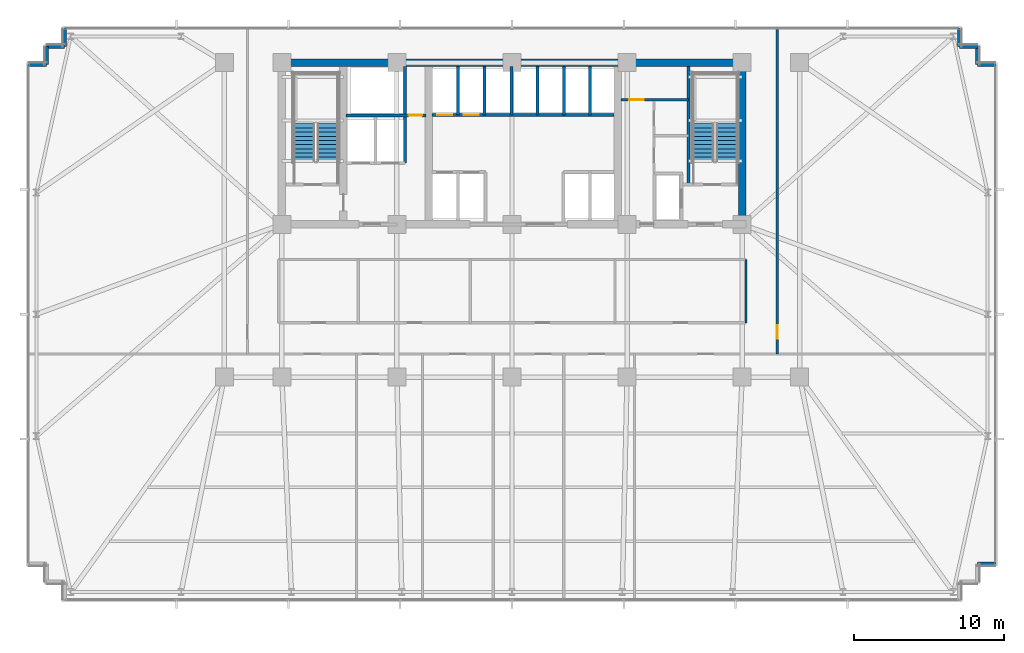
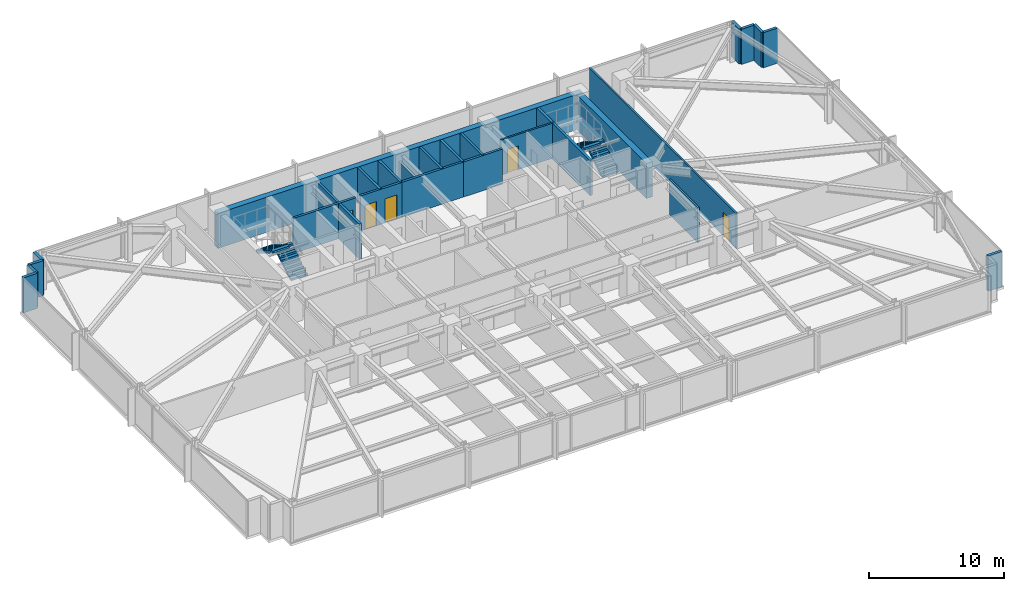
# One storey, part 26 of 32: 26 walls, 5 doors, 4 stair flights, 5 openings, 2 elements without a shape of their own.
"""IFC4 building model written with IfcOpenShell, lengths in metres."""

import ifcopenshell
import ifcopenshell.guid

model = None  # the IFC model being written
_history = None  # IfcOwnerHistory: only IFC2X3 demands one
_inside = {}  # id of a spatial element -> (the spatial element, [elements in it])
_under = {}  # id of a project, library or spatial element -> (it, [spatial elements below it])
_declared = {}  # id of a project -> (the project, [libraries it declares])
_typed = {}  # id of a type object -> (the type object, [elements of that type])
_made_of = {}  # id of a material, layer set ... -> (it, [elements and type objects made of it])


def new_model(schema):
    """Start an empty IFC model of exactly this schema.

    Asked for "IFC4X3", IfcOpenShell would pick the latest addendum, in which some entities
    have other attributes; the version numbers below select the first issue.
    IFC2X3 requires an IfcOwnerHistory on every rooted entity: one is made here for all.
    """
    global model, _history
    if schema == "IFC4X3":
        model = ifcopenshell.file(schema_version=(4, 3, 0, 0))
    else:
        model = ifcopenshell.file(schema=schema)
    _inside.clear()
    _under.clear()
    _declared.clear()
    _typed.clear()
    _made_of.clear()
    _history = None
    if model.schema == "IFC2X3":
        org = make("IfcOrganization", Name="unknown")
        user = make(
            "IfcPersonAndOrganization",
            ThePerson=make("IfcPerson", FamilyName="unknown"),
            TheOrganization=org,
        )
        app = make(
            "IfcApplication",
            ApplicationDeveloper=org,
            Version="unknown",
            ApplicationFullName="unknown",
            ApplicationIdentifier="unknown",
        )
        _history = make(
            "IfcOwnerHistory",
            OwningUser=user,
            OwningApplication=app,
            ChangeAction="ADDED",
            CreationDate=0,
        )
    return model


def make(cls, **values):
    """One entity of the class cls with the attributes given. An attribute that is None is left unset."""
    return model.create_entity(
        cls, **{name: value for name, value in values.items() if value is not None}
    )


def rooted(cls, **values):
    """An entity with a GlobalId (a new one), such as an element, a storey or a relation."""
    return make(cls, GlobalId=ifcopenshell.guid.new(), OwnerHistory=_history, **values)


def si_unit(unit_type, name, prefix=None):
    """IfcSIUnit, for example si_unit("LENGTHUNIT", "METRE", prefix="MILLI")."""
    return make("IfcSIUnit", UnitType=unit_type, Prefix=prefix, Name=name)


def assignment(units):
    """IfcUnitAssignment: the units of a project."""
    return None if units is None else make("IfcUnitAssignment", Units=units)


def point(xyz):
    """IfcCartesianPoint."""
    return None if xyz is None else make("IfcCartesianPoint", Coordinates=xyz)


def direction(xyz):
    """IfcDirection."""
    return None if xyz is None else make("IfcDirection", DirectionRatios=xyz)


def frame(location, z_axis=None, x_axis=None):
    """IfcAxis2Placement3D, a coordinate frame: its origin and axes. An axis left out is left unset."""
    return make(
        "IfcAxis2Placement3D",
        Location=point(location),
        Axis=direction(z_axis),
        RefDirection=direction(x_axis),
    )


def frame_2d(location, x_axis=None):
    """IfcAxis2Placement2D, a coordinate frame in the plane: its origin and x axis."""
    return make(
        "IfcAxis2Placement2D", Location=point(location), RefDirection=direction(x_axis)
    )


def origin():
    """The frame at (0, 0, 0) with its axes left unset."""
    return frame((0.0, 0.0, 0.0))


def place(relative_to, where):
    """IfcLocalPlacement: puts the frame where relative to a parent placement (None: the world)."""
    return make(
        "IfcLocalPlacement", PlacementRelTo=relative_to, RelativePlacement=where
    )


def context(
    kind, dimensions, precision=None, world=None, true_north=None, identifier=None
):
    """IfcGeometricRepresentationContext, for example the 3D "Model" context."""
    return make(
        "IfcGeometricRepresentationContext",
        ContextIdentifier=identifier,
        ContextType=kind,
        CoordinateSpaceDimension=dimensions,
        Precision=precision,
        WorldCoordinateSystem=world,
        TrueNorth=true_north,
    )


def subcontext(parent, identifier, kind, view, scale=None):
    """IfcGeometricRepresentationSubContext, for example "Body" below "Model"."""
    return make(
        "IfcGeometricRepresentationSubContext",
        ContextIdentifier=identifier,
        ContextType=kind,
        ParentContext=parent,
        TargetScale=scale,
        TargetView=view,
    )


def project(units=None, contexts=None):
    """IfcProject with its units and contexts."""
    return rooted(
        "IfcProject",
        Name="project",
        RepresentationContexts=contexts,
        UnitsInContext=assignment(units),
    )


def spatial(cls, under=None, at=None, **own):
    """A site, building, storey or space (cls), placed at a placement, below another one or the project."""
    s = rooted(cls, ObjectPlacement=at, **own)
    if under is not None:
        _under.setdefault(under.id(), (under, []))[1].append(s)
    return s


def polyline(points):
    """IfcPolyline through the points."""
    return make("IfcPolyline", Points=[point(p) for p in points])


def profile(cls, at=None, kind="AREA", **sizes):
    """A parametric profile (cls). Its sizes go by their IFC names, for example OverallWidth=200.0."""
    return make(cls, ProfileType=kind, Position=at, **sizes)


def rectangle(**sizes):
    """IfcRectangleProfileDef."""
    return profile("IfcRectangleProfileDef", **sizes)


def outline(outer, holes=None, kind="AREA"):
    """IfcArbitraryClosedProfileDef: a profile drawn as a closed curve; with holes, ...WithVoids."""
    if holes is None:
        return make("IfcArbitraryClosedProfileDef", ProfileType=kind, OuterCurve=outer)
    return make(
        "IfcArbitraryProfileDefWithVoids",
        ProfileType=kind,
        OuterCurve=outer,
        InnerCurves=holes,
    )


def extrude(swept, where, along, depth):
    """IfcExtrudedAreaSolid: the profile swept, set in the frame where, extruded along a direction by depth."""
    return make(
        "IfcExtrudedAreaSolid",
        SweptArea=swept,
        Position=where,
        ExtrudedDirection=direction(along),
        Depth=depth,
    )


def shape(context_of_items, identifier, shape_type, items):
    """IfcShapeRepresentation: the items that make up one representation, for example the "Body"."""
    return make(
        "IfcShapeRepresentation",
        ContextOfItems=context_of_items,
        RepresentationIdentifier=identifier,
        RepresentationType=shape_type,
        Items=items,
    )


def material(Name=None, Category=None):
    """IfcMaterial."""
    return make("IfcMaterial", Name=Name, Category=Category)


def layer(
    of_material, thickness, ventilated=None, Name=None, Category=None, Priority=None
):
    """IfcMaterialLayer: one layer of a wall or slab, of a material (None: an air gap)."""
    return make(
        "IfcMaterialLayer",
        Material=of_material,
        LayerThickness=thickness,
        IsVentilated=ventilated,
        Name=Name,
        Category=Category,
        Priority=Priority,
    )


def layer_set(layers, Name=None):
    """IfcMaterialLayerSet."""
    return make("IfcMaterialLayerSet", MaterialLayers=layers, LayerSetName=Name)


def made_of(thing, what):
    """Note that an element or type object is made of a material, layer set ...; save() writes the relation."""
    if what is not None:
        _made_of.setdefault(what.id(), (what, []))[1].append(thing)
    return thing


def type_object(cls, material=None, **own):
    """A type object (cls), such as IfcWallType, which elements share."""
    return made_of(rooted(cls, **own), material)


def element(
    cls,
    number,
    at=None,
    inside=None,
    cuts=None,
    type_object=None,
    material=None,
    context=None,
    identifier="Body",
    shape_type=None,
    held_by="IfcProductDefinitionShape",
    body=None,
    shapes=None,
    **own,
):
    """One element of the class cls, such as IfcWall. Its Tag is "e" and its number.

    at: its placement. inside: the storey or other place that contains it. cuts: it is an
    opening in that element (IfcRelVoidsElement). A single representation is given by context,
    identifier, shape_type and body (its items); several are given by shapes. held_by: the class
    of the entity that holds the representations. save() writes the other relations.
    """
    e = rooted(cls, Tag="e%d" % number, ObjectPlacement=at, **own)
    if body is not None:
        shapes = [shape(context, identifier, shape_type, body)]
    if shapes is not None:
        e.Representation = make(held_by, Representations=shapes)
    if inside is not None:
        _inside.setdefault(inside.id(), (inside, []))[1].append(e)
    if cuts is not None:
        rooted(
            "IfcRelVoidsElement", RelatingBuildingElement=cuts, RelatedOpeningElement=e
        )
    if type_object is not None:
        _typed.setdefault(type_object.id(), (type_object, []))[1].append(e)
    return made_of(e, material)


def fill(opening, filler):
    """IfcRelFillsElement: the door or window that sits in an opening."""
    return rooted(
        "IfcRelFillsElement",
        RelatingOpeningElement=opening,
        RelatedBuildingElement=filler,
    )


def aggregate(whole, parts):
    """IfcRelAggregates: a whole, such as a stair, and the parts it consists of."""
    return rooted("IfcRelAggregates", RelatingObject=whole, RelatedObjects=parts)


def save(model, path):
    """Write the relations noted so far, then the file.

    IfcRelAggregates (storeys below a building ...), IfcRelContainedInSpatialStructure (elements
    in a storey), IfcRelDefinesByType, IfcRelAssociatesMaterial and IfcRelDeclares: one each for
    every whole, place, type object, material and project.
    """
    for whole, parts in _under.values():
        aggregate(whole, parts)
    for where, things in _inside.values():
        rooted(
            "IfcRelContainedInSpatialStructure",
            RelatedElements=things,
            RelatingStructure=where,
        )
    for kind, things in _typed.values():
        rooted("IfcRelDefinesByType", RelatedObjects=things, RelatingType=kind)
    for what, things in _made_of.values():
        rooted("IfcRelAssociatesMaterial", RelatedObjects=things, RelatingMaterial=what)
    for by, libraries in _declared.values():
        rooted("IfcRelDeclares", RelatingContext=by, RelatedDefinitions=libraries)
    model.write(path)


model = new_model("IFC4")

# Units and contexts
model_context = context("Model", 3, precision=1e-05, world=origin(), true_north=direction((0.0, 1.0)))
body_context = subcontext(model_context, "Body", "Model", "MODEL_VIEW")
ifc_project = project(units=[si_unit("LENGTHUNIT", "METRE"), si_unit("AREAUNIT", "SQUARE_METRE"), si_unit("VOLUMEUNIT", "CUBIC_METRE"), si_unit("PLANEANGLEUNIT", "RADIAN"), si_unit("MASSUNIT", "GRAM", prefix="KILO")], contexts=[model_context])

# Site, building, storey
site_placement = place(None, origin())
site = spatial("IfcSite", under=ifc_project, at=site_placement, CompositionType="ELEMENT")
building_placement = place(site_placement, origin())
building = spatial("IfcBuilding", under=site, at=building_placement, Name="Yelkora Congress Tower", CompositionType="ELEMENT")
storey_placement = place(building_placement, frame((0.0, 0.0, 57.60009765625)))
storey = spatial("IfcBuildingStorey", under=building, at=storey_placement, Name="L14", CompositionType="ELEMENT", Elevation=57.60009765625)

# Walls
ifc_material_1 = material(Name="Concrete C50/60", Category="concrete")
ifc_layer_1 = layer(ifc_material_1, 0.219970703125)
ifc_layer_set_1 = layer_set([ifc_layer_1], Name="Concrete C50/60")
wall_type_1 = type_object("IfcWallType", Name="WALL-CORE-INT-220", PredefinedType="SHEAR", material=ifc_layer_set_1)
wall_1_placement = place(storey_placement, frame((50.179931640625, 38.050048828125, 0.0), z_axis=(0.0, 0.0, 1.0), x_axis=(0.0, 1.0, 0.0)))
element("IfcWall", 1, at=wall_1_placement, inside=storey, type_object=wall_type_1, Name="L14 ST02 West Stair Shear Wall", PredefinedType="SHEAR", context=body_context, shape_type="SweptSolid", body=[
    extrude(rectangle(XDim=7.89990234375, YDim=0.219970703125, at=frame_2d((3.949951171875, 0.0))), origin(), (0.0, 0.0, 1.0), 3.179931640625),
])
ifc_material_2 = material(Name="Concrete C60/75", Category="concrete")
ifc_layer_2 = layer(ifc_material_2, 0.5)
ifc_layer_set_2 = layer_set([ifc_layer_2], Name="Concrete C60/75")
wall_type_2 = type_object("IfcWallType", Name="WALL-CORE-INT-500", PredefinedType="SHEAR", material=ifc_layer_set_2)
wall_2_placement = place(storey_placement, frame((22.7900390625, 46.199951171875, 0.0), z_axis=(0.0, 0.0, 1.0), x_axis=(1.0, 0.0, 0.0)))
element("IfcWall", 2, at=wall_2_placement, inside=storey, type_object=wall_type_2, Name="L14 Rear Core North Shear Wall", PredefinedType="SHEAR", context=body_context, shape_type="SweptSolid", body=[
    extrude(rectangle(XDim=31.219970703125, YDim=0.5, at=frame_2d((15.60986328125, 0.0))), origin(), (0.0, 0.0, 1.0), 3.179931640625),
])
wall_3_placement = place(storey_placement, frame((53.760009765625, 35.64990234375, 0.0), z_axis=(0.0, 0.0, 1.0), x_axis=(0.0, 1.0, 0.0)))
element("IfcWall", 3, at=wall_3_placement, inside=storey, type_object=wall_type_2, Name="L14 Rear Core Cross Shear Wall E", PredefinedType="SHEAR", context=body_context, shape_type="SweptSolid", body=[
    extrude(rectangle(XDim=10.300048828125, YDim=0.5, at=frame_2d((5.14990234375, 0.0))), origin(), (0.0, 0.0, 1.0), 3.179931640625),
])
ifc_material_3 = material(Name="Concrete C40/50", Category="concrete")
ifc_layer_3 = layer(ifc_material_3, 0.239990234375)
ifc_layer_set_3 = layer_set([ifc_layer_3], Name="Concrete C40/50")
wall_type_3 = type_object("IfcWallType", Name="WALL-EXT-LIMESTONE-240", PredefinedType="SOLIDWALL", material=ifc_layer_set_3)
wall_4_placement = place(storey_placement, frame((6.139892578125, 46.06005859375, 0.0), z_axis=(0.0, 0.0, 1.0), x_axis=(1.0, 0.0, 0.0)))
element("IfcWall", 4, at=wall_4_placement, inside=storey, type_object=wall_type_3, Name="L14 Serrated Corner Limestone Pier 6", PredefinedType="SOLIDWALL", context=body_context, shape_type="SweptSolid", body=[
    extrude(rectangle(XDim=1.2001953125, YDim=0.239990234375, at=frame_2d((0.60009765625, 0.0))), origin(), (0.0, 0.0, 1.0), 3.179931640625),
])
for number, where, z_axis, x_axis, name in (
    (5, (7.340087890625, 46.06005859375, 0.0), (0.0, 0.0, 1.0), (0.0, 1.0, 0.0), "L14 Serrated Corner Limestone Pier 7"),
    (6, (7.340087890625, 47.260009765625, 0.0), (0.0, 0.0, 1.0), (1.0, 0.0, 0.0), "L14 Serrated Corner Limestone Pier 8"),
    (7, (8.5400390625, 47.260009765625, 0.0), (0.0, 0.0, 1.0), (0.0, 1.0, 0.0), "L14 Serrated Corner Limestone Pier 9"),
    (8, (68.260009765625, 48.4599609375, 0.0), (0.0, 0.0, 1.0), (0.0, -1.0, 0.0), "L14 Serrated Corner Limestone Pier 11"),
    (9, (68.260009765625, 47.260009765625, 0.0), (0.0, 0.0, 1.0), (1.0, 0.0, 0.0), "L14 Serrated Corner Limestone Pier 12"),
    (10, (69.4599609375, 47.260009765625, 0.0), (0.0, 0.0, 1.0), (0.0, -1.0, 0.0), "L14 Serrated Corner Limestone Pier 13"),
    (11, (69.4599609375, 46.06005859375, 0.0), (0.0, 0.0, 1.0), (1.0, 0.0, 0.0), "L14 Serrated Corner Limestone Pier 14"),
    (12, (70.659912109375, 12.739990234375, 0.0), (0.0, 0.0, 1.0), (-1.0, 0.0, 0.0), "L14 Serrated Corner Limestone Pier 16"),
):
    element("IfcWall", number, at=place(storey_placement, frame(where, z_axis=z_axis, x_axis=x_axis)), inside=storey, type_object=wall_type_3, Name=name, PredefinedType="SOLIDWALL", context=body_context, shape_type="SweptSolid", body=[
        extrude(rectangle(XDim=1.199951171875, YDim=0.239990234375, at=frame_2d((0.60009765625, 0.0))), origin(), (0.0, 0.0, 1.0), 3.179931640625),
    ])

# Wall, opening, door
ifc_material_4 = material(Name="Acoustic metal-stud gypsum partition", Category="gypsum")
ifc_layer_4 = layer(ifc_material_4, 0.14990234375)
ifc_layer_set_4 = layer_set([ifc_layer_4], Name="Acoustic metal-stud gypsum partition")
wall_type_4 = type_object("IfcWallType", Name="WALL-INT-150-NR", PredefinedType="PARTITIONING", material=ifc_layer_set_4)
wall_5_placement = place(storey_placement, frame((45.679931640625, 43.719970703125, 0.0), z_axis=(0.0, 0.0, 1.0), x_axis=(1.0, 0.0, 0.0)))
wall_5 = element("IfcWall", 13, at=wall_5_placement, inside=storey, type_object=wall_type_4, Name="L14 Partition Wall 28", PredefinedType="PARTITIONING", context=body_context, shape_type="SweptSolid", body=[
    extrude(rectangle(XDim=4.5, YDim=0.14990234375, at=frame_2d((2.25, 0.0))), origin(), (0.0, 0.0, 1.0), 3.179931640625),
])
opening_1_placement = place(wall_5_placement, frame((0.550048828125, 0.0, 0.0)))
opening_1 = element("IfcOpeningElement", 14, at=opening_1_placement, cuts=wall_5, Name="Opening DR-095N", PredefinedType="OPENING", context=body_context, shape_type="SweptSolid", body=[
    extrude(rectangle(XDim=0.949951171875, YDim=2.14990234375, at=frame_2d((0.47509765625, 1.074951171875))), frame((0.0, 0.0849609375, 0.0), z_axis=(0.0, -1.0, 0.0), x_axis=(1.0, 0.0, 0.0)), (0.0, 0.0, 1.0), 0.169921875),
])
ifc_material_5 = material(Name="Acoustic laminated timber office door", Category="wood")
door_type_1 = type_object("IfcDoorType", Name="DOOR-INT-950", OperationType="NOTDEFINED", PredefinedType="DOOR", material=ifc_material_5)
door_1_placement = place(opening_1_placement, origin())
door_1 = element("IfcDoor", 15, at=door_1_placement, inside=storey, type_object=door_type_1, Name="L14 Accessible WC Door", OperationType="SINGLE_SWING_RIGHT", OverallHeight=2.14990234375, OverallWidth=0.949951171875, PredefinedType="DOOR", context=body_context, shape_type="SweptSolid", body=[
    extrude(rectangle(XDim=0.949951171875, YDim=2.14990234375, at=frame_2d((0.47509765625, 1.074951171875))), frame((0.0, 0.02490234375, 0.0), z_axis=(0.0, -1.0, 0.0), x_axis=(1.0, 0.0, 0.0)), (0.0, 0.0, 1.0), 0.050048828125),
])
fill(opening_1, door_1)

wall_6_placement = place(storey_placement, frame((56.10009765625, 26.75, 0.0), z_axis=(0.0, 0.0, 1.0), x_axis=(0.0, 1.0, 0.0)))
wall_6 = element("IfcWall", 16, at=wall_6_placement, inside=storey, type_object=wall_type_4, Name="L14 Partition Wall 38", PredefinedType="PARTITIONING", context=body_context, shape_type="SweptSolid", body=[
    extrude(rectangle(XDim=21.77001953125, YDim=0.14990234375, at=frame_2d((10.885009765625, 0.0))), origin(), (0.0, 0.0, 1.0), 3.179931640625),
])
opening_2_placement = place(wall_6_placement, frame((1.030029296875, 0.0, 0.0)))
opening_2 = element("IfcOpeningElement", 17, at=opening_2_placement, cuts=wall_6, Name="Opening DR-090N", PredefinedType="OPENING", context=body_context, shape_type="SweptSolid", body=[
    extrude(rectangle(XDim=0.89990234375, YDim=2.14990234375, at=frame_2d((0.449951171875, 1.074951171875))), frame((0.0, 0.0849609375, 0.0), z_axis=(0.0, -1.0, 0.0), x_axis=(1.0, 0.0, 0.0)), (0.0, 0.0, 1.0), 0.169921875),
])
ifc_material_6 = material(Name="Moisture-resistant laminate door leaf", Category="wood")
door_type_2 = type_object("IfcDoorType", Name="DOOR-INT-900", OperationType="NOTDEFINED", PredefinedType="DOOR", material=ifc_material_6)
door_2_placement = place(opening_2_placement, origin())
door_2 = element("IfcDoor", 18, at=door_2_placement, inside=storey, type_object=door_type_2, Name="L14 E Wing Door", OperationType="SINGLE_SWING_RIGHT", OverallHeight=2.14990234375, OverallWidth=0.89990234375, PredefinedType="DOOR", context=body_context, shape_type="SweptSolid", body=[
    extrude(rectangle(XDim=0.89990234375, YDim=2.14990234375, at=frame_2d((0.449951171875, 1.074951171875))), frame((0.0, 0.02490234375, 0.0), z_axis=(0.0, -1.0, 0.0), x_axis=(1.0, 0.0, 0.0)), (0.0, 0.0, 1.0), 0.050048828125),
])
fill(opening_2, door_2)

# Walls
wall_7_placement = place(storey_placement, frame((54.02001953125, 28.830078125, 0.0), z_axis=(0.0, 0.0, 1.0), x_axis=(0.0, 1.0, 0.0)))
element("IfcWall", 19, at=wall_7_placement, inside=storey, type_object=wall_type_4, Name="L14 Partition Wall 40", PredefinedType="PARTITIONING", context=body_context, shape_type="SweptSolid", body=[
    extrude(rectangle(XDim=4.219970703125, YDim=0.14990234375, at=frame_2d((2.10986328125, 0.0))), origin(), (0.0, 0.0, 1.0), 3.179931640625),
])
ifc_material_7 = material(Name="Autoclaved aerated concrete blockwork", Category="masonry")
ifc_layer_5 = layer(ifc_material_7, 0.199951171875)
ifc_layer_set_5 = layer_set([ifc_layer_5], Name="Autoclaved aerated concrete blockwork")
wall_type_5 = type_object("IfcWallType", Name="WALL-INT-200-R120", PredefinedType="PARTITIONING", material=ifc_layer_set_5)
wall_8_placement = place(storey_placement, frame((31.260009765625, 39.47998046875, 0.0), z_axis=(0.0, 0.0, 1.0), x_axis=(0.0, 1.0, 0.0)))
element("IfcWall", 20, at=wall_8_placement, inside=storey, type_object=wall_type_5, Name="L14 Partition Wall 5", PredefinedType="PARTITIONING", context=body_context, shape_type="SweptSolid", body=[
    extrude(rectangle(XDim=6.43994140625, YDim=0.199951171875, at=frame_2d((3.219970703125, 0.0))), origin(), (0.0, 0.0, 1.0), 3.179931640625),
])

# Wall, opening, door
wall_9_placement = place(storey_placement, frame((27.320068359375, 42.679931640625, 0.0), z_axis=(0.0, 0.0, 1.0), x_axis=(1.0, 0.0, 0.0)))
wall_9 = element("IfcWall", 21, at=wall_9_placement, inside=storey, type_object=wall_type_5, Name="L14 Smoke Riser South Wall", PredefinedType="PARTITIONING", context=body_context, shape_type="SweptSolid", body=[
    extrude(rectangle(XDim=5.329833984375, YDim=0.199951171875, at=frame_2d((2.6650390625, 0.0))), origin(), (0.0, 0.0, 1.0), 3.179931640625),
])
opening_3_placement = place(wall_9_placement, frame((4.179931640625, 0.0, 0.0)))
opening_3 = element("IfcOpeningElement", 22, at=opening_3_placement, cuts=wall_9, Name="Opening DR-090F6", PredefinedType="OPENING", context=body_context, shape_type="SweptSolid", body=[
    extrude(rectangle(XDim=0.89990234375, YDim=2.14990234375, at=frame_2d((0.449951171875, 1.074951171875))), frame((0.0, 0.10986328125, 0.0), z_axis=(0.0, -1.0, 0.0), x_axis=(1.0, 0.0, 0.0)), (0.0, 0.0, 1.0), 0.219970703125),
])
ifc_material_8 = material(Name="Painted steel riser fire door leaf", Category="steel")
door_type_3 = type_object("IfcDoorType", Name="DOOR-FD60-900", OperationType="NOTDEFINED", PredefinedType="DOOR", material=ifc_material_8)
door_3_placement = place(opening_3_placement, origin())
door_3 = element("IfcDoor", 23, at=door_3_placement, inside=storey, type_object=door_type_3, Name="L14 Riser Access Door", OperationType="SINGLE_SWING_LEFT", OverallHeight=2.14990234375, OverallWidth=0.89990234375, PredefinedType="DOOR", context=body_context, shape_type="SweptSolid", body=[
    extrude(rectangle(XDim=0.89990234375, YDim=2.14990234375, at=frame_2d((0.449951171875, 1.074951171875))), frame((0.0, 0.02490234375, 0.0), z_axis=(0.0, -1.0, 0.0), x_axis=(1.0, 0.0, 0.0)), (0.0, 0.0, 1.0), 0.050048828125),
])
fill(opening_3, door_3)

# Walls
wall_10_placement = place(storey_placement, frame((36.60009765625, 42.699951171875, 0.0), z_axis=(0.0, 0.0, 1.0), x_axis=(1.0, 0.0, 0.0)))
element("IfcWall", 24, at=wall_10_placement, inside=storey, type_object=wall_type_5, Name="L14 Partition Wall 8", PredefinedType="PARTITIONING", context=body_context, shape_type="SweptSolid", body=[
    extrude(rectangle(XDim=5.25, YDim=0.199951171875, at=frame_2d((2.625, 0.0))), origin(), (0.0, 0.0, 1.0), 3.179931640625),
])
wall_11_placement = place(storey_placement, frame((38.35009765625, 42.699951171875, 0.0), z_axis=(0.0, 0.0, 1.0), x_axis=(0.0, 1.0, 0.0)))
element("IfcWall", 25, at=wall_11_placement, inside=storey, type_object=wall_type_5, Name="L14 Partition Wall 9", PredefinedType="PARTITIONING", context=body_context, shape_type="SweptSolid", body=[
    extrude(rectangle(XDim=3.219970703125, YDim=0.199951171875, at=frame_2d((1.60986328125, 0.0))), origin(), (0.0, 0.0, 1.0), 2.474853515625),
])
wall_12_placement = place(storey_placement, frame((40.10009765625, 42.699951171875, 0.0), z_axis=(0.0, 0.0, 1.0), x_axis=(0.0, 1.0, 0.0)))
element("IfcWall", 26, at=wall_12_placement, inside=storey, type_object=wall_type_5, Name="L14 Partition Wall 10", PredefinedType="PARTITIONING", context=body_context, shape_type="SweptSolid", body=[
    extrude(rectangle(XDim=3.219970703125, YDim=0.199951171875, at=frame_2d((1.60986328125, 0.0))), origin(), (0.0, 0.0, 1.0), 3.179931640625),
])

# Wall, openings, doors
wall_13_placement = place(storey_placement, frame((33.050048828125, 42.699951171875, 0.0), z_axis=(0.0, 0.0, 1.0), x_axis=(1.0, 0.0, 0.0)))
wall_13 = element("IfcWall", 27, at=wall_13_placement, inside=storey, type_object=wall_type_5, Name="L14 Partition Wall 12", PredefinedType="PARTITIONING", context=body_context, shape_type="SweptSolid", body=[
    extrude(rectangle(XDim=3.570068359375, YDim=0.199951171875, at=frame_2d((1.78515625, 0.0))), origin(), (0.0, 0.0, 1.0), 3.179931640625),
])
opening_4_placement = place(wall_13_placement, frame((0.375, 0.0, 0.0)))
opening_4 = element("IfcOpeningElement", 28, at=opening_4_placement, cuts=wall_13, Name="Opening LD-PS10", PredefinedType="OPENING", context=body_context, shape_type="SweptSolid", body=[
    extrude(rectangle(XDim=1.0, YDim=2.199951171875, at=frame_2d((0.5, 1.10009765625))), frame((0.0, 0.10986328125, 0.0), z_axis=(0.0, -1.0, 0.0), x_axis=(1.0, 0.0, 0.0)), (0.0, 0.0, 1.0), 0.219970703125),
])
opening_5_placement = place(wall_13_placement, frame((2.125, 0.0, 0.0)))
opening_5 = element("IfcOpeningElement", 29, at=opening_5_placement, cuts=wall_13, Name="Opening LD-PS10", PredefinedType="OPENING", context=body_context, shape_type="SweptSolid", body=[
    extrude(rectangle(XDim=1.0, YDim=2.199951171875, at=frame_2d((0.5, 1.10009765625))), frame((0.0, 0.10986328125, 0.0), z_axis=(0.0, -1.0, 0.0), x_axis=(1.0, 0.0, 0.0)), (0.0, 0.0, 1.0), 0.219970703125),
])
ifc_material_9 = material(Name="Champagne stainless steel landing door", Category="steel")
door_type_4 = type_object("IfcDoorType", Name="DOOR-LIFT-PAS-1000", OperationType="DOUBLE_DOOR_SLIDING", PredefinedType="DOOR", material=ifc_material_9)
door_4_placement = place(opening_4_placement, origin())
door_4 = element("IfcDoor", 30, at=door_4_placement, inside=storey, type_object=door_type_4, Name="Lift Landing Door LF-P3 L14", OperationType="DOUBLE_DOOR_SLIDING", OverallHeight=2.199951171875, OverallWidth=1.0, PredefinedType="DOOR", context=body_context, shape_type="SweptSolid", body=[
    extrude(rectangle(XDim=1.0, YDim=2.199951171875, at=frame_2d((0.5, 1.10009765625))), frame((0.0, 0.02490234375, 0.0), z_axis=(0.0, -1.0, 0.0), x_axis=(1.0, 0.0, 0.0)), (0.0, 0.0, 1.0), 0.050048828125),
])
fill(opening_4, door_4)
door_5_placement = place(opening_5_placement, origin())
door_5 = element("IfcDoor", 31, at=door_5_placement, inside=storey, type_object=door_type_4, Name="Lift Landing Door LF-P4 L14", OperationType="DOUBLE_DOOR_SLIDING", OverallHeight=2.199951171875, OverallWidth=1.0, PredefinedType="DOOR", context=body_context, shape_type="SweptSolid", body=[
    extrude(rectangle(XDim=1.0, YDim=2.199951171875, at=frame_2d((0.5, 1.10009765625))), frame((0.0, 0.02490234375, 0.0), z_axis=(0.0, -1.0, 0.0), x_axis=(1.0, 0.0, 0.0)), (0.0, 0.0, 1.0), 0.050048828125),
])
fill(opening_5, door_5)

# Walls
for number, where, z_axis, x_axis, name in (
    (32, (34.800048828125, 42.699951171875, 0.0), (0.0, 0.0, 1.0), (0.0, 1.0, 0.0), "L14 Partition Wall 14"),
    (33, (36.580078125, 42.699951171875, 0.0), (0.0, 0.0, 1.0), (0.0, 1.0, 0.0), "L14 Partition Wall 16"),
):
    element("IfcWall", number, at=place(storey_placement, frame(where, z_axis=z_axis, x_axis=x_axis)), inside=storey, type_object=wall_type_5, Name=name, PredefinedType="PARTITIONING", context=body_context, shape_type="SweptSolid", body=[
        extrude(rectangle(XDim=3.219970703125, YDim=0.199951171875, at=frame_2d((1.60986328125, 0.0))), origin(), (0.0, 0.0, 1.0), 3.179931640625),
    ])
wall_14_placement = place(storey_placement, frame((41.85009765625, 42.699951171875, 0.0), z_axis=(0.0, 0.0, 1.0), x_axis=(1.0, 0.0, 0.0)))
element("IfcWall", 34, at=wall_14_placement, inside=storey, type_object=wall_type_5, Name="L14 Partition Wall 18", PredefinedType="PARTITIONING", context=body_context, shape_type="SweptSolid", body=[
    extrude(rectangle(XDim=3.369873046875, YDim=0.199951171875, at=frame_2d((1.68505859375, 0.0))), origin(), (0.0, 0.0, 1.0), 3.179931640625),
])
for number, where, z_axis, x_axis, name in (
    (35, (43.60009765625, 42.699951171875, 0.0), (0.0, 0.0, 1.0), (0.0, 1.0, 0.0), "L14 Partition Wall 20"),
    (36, (41.8798828125, 42.699951171875, 0.0), (0.0, 0.0, 1.0), (0.0, 1.0, 0.0), "L14 Partition Wall 22"),
):
    element("IfcWall", number, at=place(storey_placement, frame(where, z_axis=z_axis, x_axis=x_axis)), inside=storey, type_object=wall_type_5, Name=name, PredefinedType="PARTITIONING", context=body_context, shape_type="SweptSolid", body=[
        extrude(rectangle(XDim=3.219970703125, YDim=0.199951171875, at=frame_2d((1.60986328125, 0.0))), origin(), (0.0, 0.0, 1.0), 3.179931640625),
    ])

# Stair, stair flights
stair_type = type_object("IfcStairType", Name="STAIR-HT-1420-R20-170", PredefinedType="HALF_TURN_STAIR", material=ifc_material_3)
stair_1_placement = place(storey_placement, origin())
stair_1 = element("IfcStair", 37, at=stair_1_placement, inside=storey, type_object=stair_type, Name="West Core Protected Exit Stair ST-01 (L14)", PredefinedType="HALF_TURN_STAIR")
stair_flight_type = type_object("IfcStairFlightType", Name="FLIGHT-1420-N10-R170-G280", PredefinedType="STRAIGHT", material=ifc_material_3)
stair_flight_1_placement = place(storey_placement, frame((26.110107421875, 39.60009765625, 0.0), z_axis=(0.0, 0.0, 1.0), x_axis=(0.0, 1.0, 0.0)))
stair_flight_1 = element("IfcStairFlight", 38, at=stair_flight_1_placement, type_object=stair_flight_type, Name="ST-01 L14 Flight 1", NumberOfRisers=10, NumberOfTreads=9, PredefinedType="STRAIGHT", RiserHeight=0.17, TreadLength=0.28, context=body_context, shape_type="SweptSolid", body=[
    extrude(outline(polyline([(0.0, 0.0), (0.0, 0.169921875), (0.280029296875, 0.169921875), (0.280029296875, 0.340087890625), (0.56005859375, 0.340087890625), (0.56005859375, 0.510009765625), (0.840087890625, 0.510009765625), (0.840087890625, 0.679931640625), (1.1201171875, 0.679931640625), (1.1201171875, 0.85009765625), (1.39990234375, 0.85009765625), (1.39990234375, 1.02001953125), (1.679931640625, 1.02001953125), (1.679931640625, 1.18994140625), (1.9599609375, 1.18994140625), (1.9599609375, 1.360107421875), (2.239990234375, 1.360107421875), (2.239990234375, 1.530029296875), (2.52001953125, 1.530029296875), (2.52001953125, 1.699951171875), (2.52001953125, 1.343017578125), (0.30810546875, 0.0), (0.0, 0.0)])), frame((0.0, 0.7099609375, 0.0), z_axis=(0.0, -1.0, 0.0), x_axis=(1.0, 0.0, 0.0)), (0.0, 0.0, 1.0), 1.419921875),
])
stair_flight_2_placement = place(storey_placement, frame((24.530029296875, 42.1201171875, 1.699951171875), z_axis=(0.0, 0.0, 1.0), x_axis=(0.0, -1.0, 0.0)))
stair_flight_2 = element("IfcStairFlight", 39, at=stair_flight_2_placement, type_object=stair_flight_type, Name="ST-01 L14 Flight 2", NumberOfRisers=10, NumberOfTreads=9, PredefinedType="STRAIGHT", RiserHeight=0.17, TreadLength=0.28, context=body_context, shape_type="SweptSolid", body=[
    extrude(outline(polyline([(0.0, 0.0), (0.0, 0.169921875), (0.280029296875, 0.169921875), (0.280029296875, 0.340087890625), (0.56005859375, 0.340087890625), (0.56005859375, 0.510009765625), (0.840087890625, 0.510009765625), (0.840087890625, 0.679931640625), (1.1201171875, 0.679931640625), (1.1201171875, 0.85009765625), (1.39990234375, 0.85009765625), (1.39990234375, 1.02001953125), (1.679931640625, 1.02001953125), (1.679931640625, 1.18994140625), (1.9599609375, 1.18994140625), (1.9599609375, 1.360107421875), (2.239990234375, 1.360107421875), (2.239990234375, 1.530029296875), (2.52001953125, 1.530029296875), (2.52001953125, 1.699951171875), (2.52001953125, 1.343017578125), (0.30810546875, 0.0), (0.0, 0.0)])), frame((0.0, 0.7099609375, 0.0), z_axis=(0.0, -1.0, 0.0), x_axis=(1.0, 0.0, 0.0)), (0.0, 0.0, 1.0), 1.419921875),
])
aggregate(stair_1, [stair_flight_1, stair_flight_2])

stair_2_placement = place(storey_placement, origin())
stair_2 = element("IfcStair", 40, at=stair_2_placement, inside=storey, type_object=stair_type, Name="East Core Protected Exit Stair ST-02 (L14)", PredefinedType="HALF_TURN_STAIR")
stair_flight_3_placement = place(storey_placement, frame((52.75, 39.60009765625, 0.0), z_axis=(0.0, 0.0, 1.0), x_axis=(0.0, 1.0, 0.0)))
stair_flight_3 = element("IfcStairFlight", 41, at=stair_flight_3_placement, type_object=stair_flight_type, Name="ST-02 L14 Flight 1", NumberOfRisers=10, NumberOfTreads=9, PredefinedType="STRAIGHT", RiserHeight=0.17, TreadLength=0.28, context=body_context, shape_type="SweptSolid", body=[
    extrude(outline(polyline([(0.0, 0.0), (0.0, 0.169921875), (0.280029296875, 0.169921875), (0.280029296875, 0.340087890625), (0.56005859375, 0.340087890625), (0.56005859375, 0.510009765625), (0.840087890625, 0.510009765625), (0.840087890625, 0.679931640625), (1.1201171875, 0.679931640625), (1.1201171875, 0.85009765625), (1.39990234375, 0.85009765625), (1.39990234375, 1.02001953125), (1.679931640625, 1.02001953125), (1.679931640625, 1.18994140625), (1.9599609375, 1.18994140625), (1.9599609375, 1.360107421875), (2.239990234375, 1.360107421875), (2.239990234375, 1.530029296875), (2.52001953125, 1.530029296875), (2.52001953125, 1.699951171875), (2.52001953125, 1.343017578125), (0.30810546875, 0.0), (0.0, 0.0)])), frame((0.0, 0.7099609375, 0.0), z_axis=(0.0, -1.0, 0.0), x_axis=(1.0, 0.0, 0.0)), (0.0, 0.0, 1.0), 1.419921875),
])
stair_flight_4_placement = place(storey_placement, frame((51.169921875, 42.1201171875, 1.699951171875), z_axis=(0.0, 0.0, 1.0), x_axis=(0.0, -1.0, 0.0)))
stair_flight_4 = element("IfcStairFlight", 42, at=stair_flight_4_placement, type_object=stair_flight_type, Name="ST-02 L14 Flight 2", NumberOfRisers=10, NumberOfTreads=9, PredefinedType="STRAIGHT", RiserHeight=0.17, TreadLength=0.28, context=body_context, shape_type="SweptSolid", body=[
    extrude(outline(polyline([(0.0, 0.0), (0.0, 0.169921875), (0.280029296875, 0.169921875), (0.280029296875, 0.340087890625), (0.56005859375, 0.340087890625), (0.56005859375, 0.510009765625), (0.840087890625, 0.510009765625), (0.840087890625, 0.679931640625), (1.1201171875, 0.679931640625), (1.1201171875, 0.85009765625), (1.39990234375, 0.85009765625), (1.39990234375, 1.02001953125), (1.679931640625, 1.02001953125), (1.679931640625, 1.18994140625), (1.9599609375, 1.18994140625), (1.9599609375, 1.360107421875), (2.239990234375, 1.360107421875), (2.239990234375, 1.530029296875), (2.52001953125, 1.530029296875), (2.52001953125, 1.699951171875), (2.52001953125, 1.343017578125), (0.30810546875, 0.0), (0.0, 0.0)])), frame((0.0, 0.7099609375, 0.0), z_axis=(0.0, -1.0, 0.0), x_axis=(1.0, 0.0, 0.0)), (0.0, 0.0, 1.0), 1.419921875),
])
aggregate(stair_2, [stair_flight_3, stair_flight_4])

save(model, "model.ifc")
